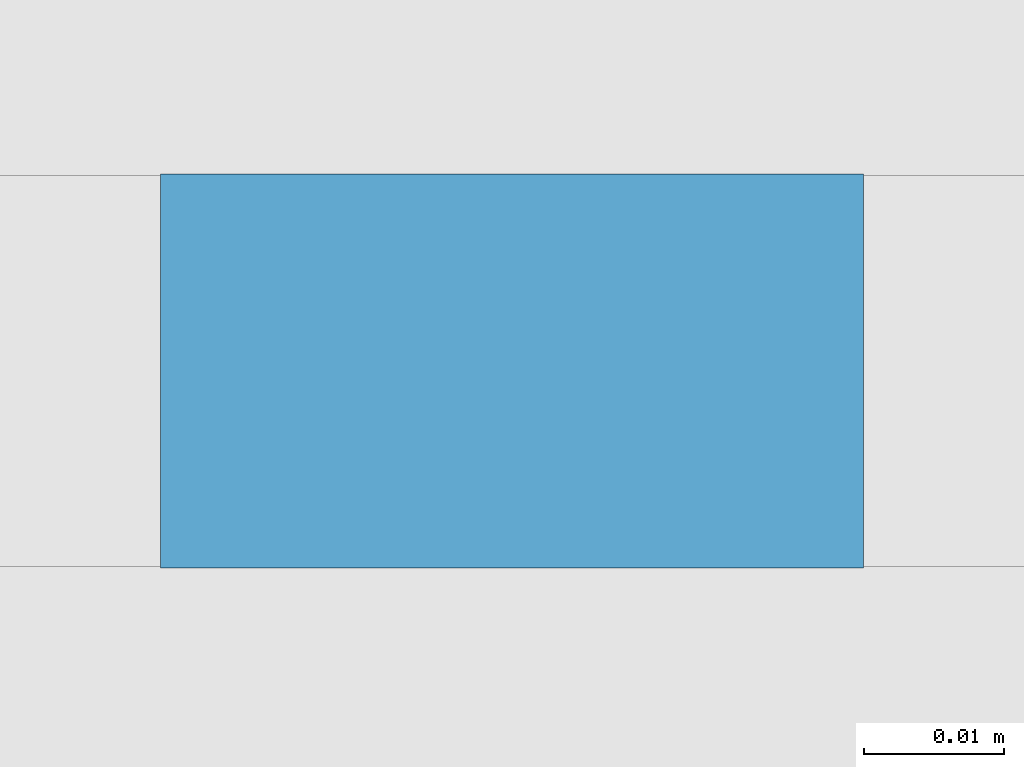
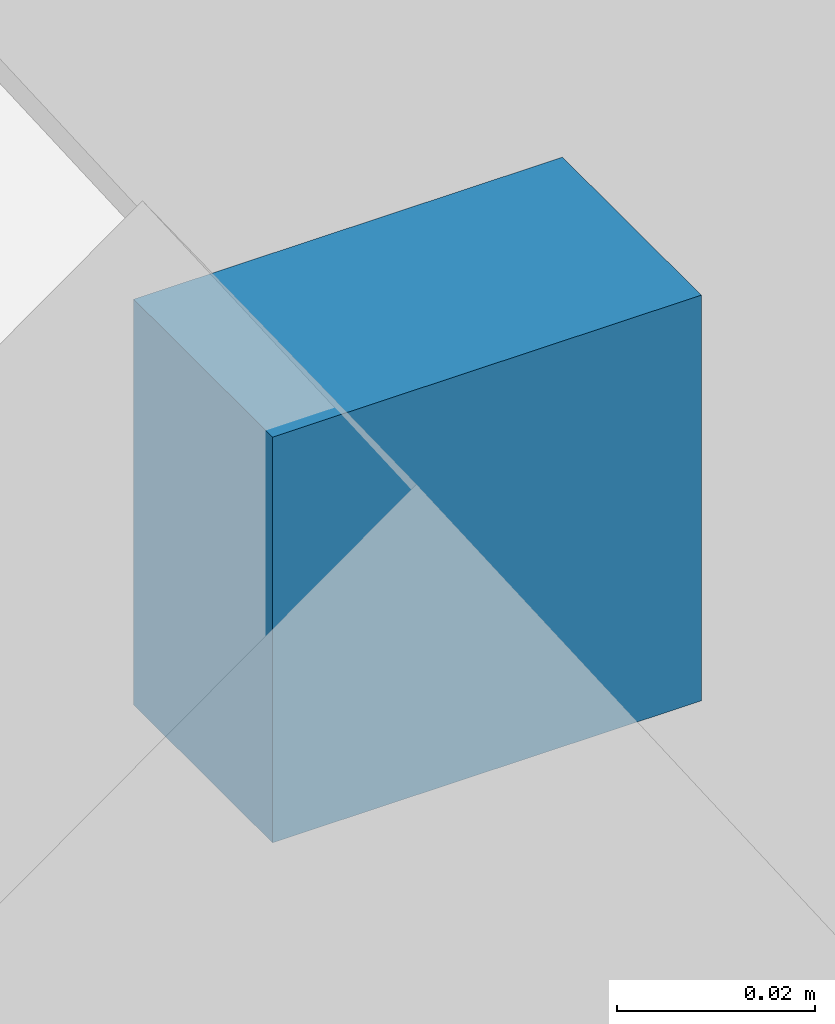
# One storey, part 12 of 16: 1 discrete accessory, 1 element without a shape of its own.
"""IFC4 building model written with IfcOpenShell, lengths in metres."""

from ifc_helpers import new_model, si_unit, direction, frame, origin, origin_2d, place, context, subcontext, project, spatial, rectangle, extrude, material, type_object, element, aggregate, save


model = new_model("IFC4")

# Units and contexts
model_context = context("Model", 3, precision=1e-05, world=origin(), true_north=direction((0.0, 1.0)))
body_context = subcontext(model_context, "Body", "Model", "MODEL_VIEW")
ifc_project = project(units=[si_unit("LENGTHUNIT", "METRE"), si_unit("AREAUNIT", "SQUARE_METRE"), si_unit("VOLUMEUNIT", "CUBIC_METRE"), si_unit("PLANEANGLEUNIT", "RADIAN"), si_unit("MASSUNIT", "GRAM", prefix="KILO")], contexts=[model_context])

# Site, building, storey
site_placement = place(None, origin())
site = spatial("IfcSite", under=ifc_project, at=site_placement, CompositionType="ELEMENT")
building_placement = place(site_placement, origin())
building = spatial("IfcBuilding", under=site, at=building_placement, Name="Tessera Arch", CompositionType="ELEMENT")
storey_placement = place(building_placement, frame((0.0, 0.0, 218.89990234375)))
storey = spatial("IfcBuildingStorey", under=building, at=storey_placement, Name="L52", CompositionType="ELEMENT", Elevation=218.89990234375)

# Curtain wall, discrete accessory
ifc_material = material(Name="CW3 curtain wall")
curtain_wall_type = type_object("IfcCurtainWallType", Name="CW3 curtain wall", PredefinedType="NOTDEFINED", material=ifc_material)
curtain_wall_placement = place(storey_placement, origin())
curtain_wall = element("IfcCurtainWall", 1, at=curtain_wall_placement, inside=storey, type_object=curtain_wall_type, Name="CW3 curtain wall S27.32/1 L52", PredefinedType="NOTDEFINED")
discrete_accessory_placement = place(storey_placement, frame((40.696044921875, 26.9560546875, 0.2666015625), z_axis=(0.0, 0.0, 1.0), x_axis=(1.0, 0.0, 0.0)))
discrete_accessory = element("IfcDiscreteAccessory", 2, at=discrete_accessory_placement, Name="Glazing bracket", PredefinedType="BRACKET", context=body_context, shape_type="SweptSolid", body=[
    extrude(rectangle(XDim=0.050048828125, YDim=0.028076171875, at=origin_2d()), origin(), (0.0, 0.0, 1.0), 0.050048828125),
])
aggregate(curtain_wall, [discrete_accessory])

save(model, "model.ifc")
